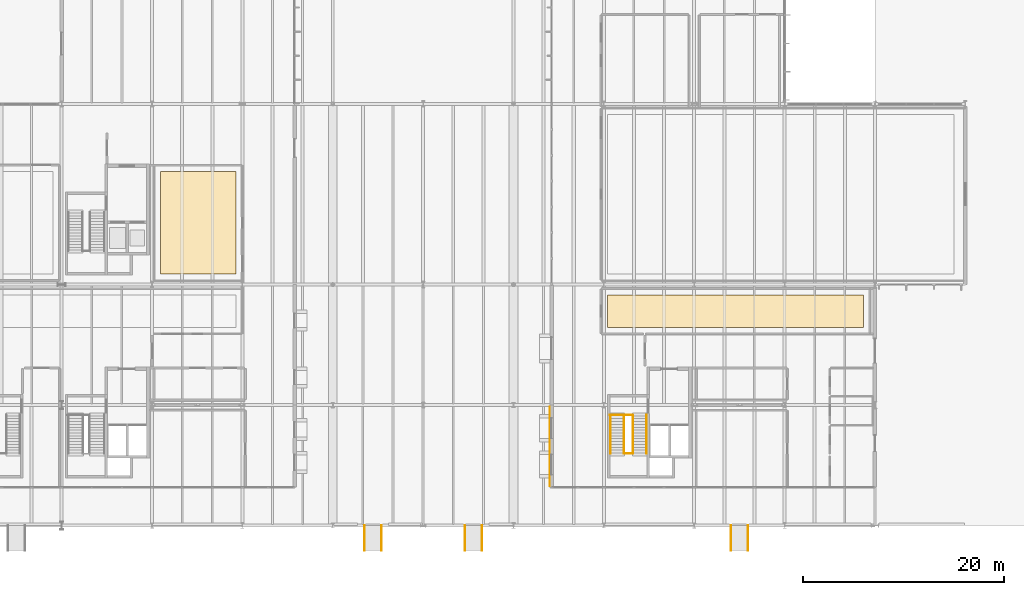
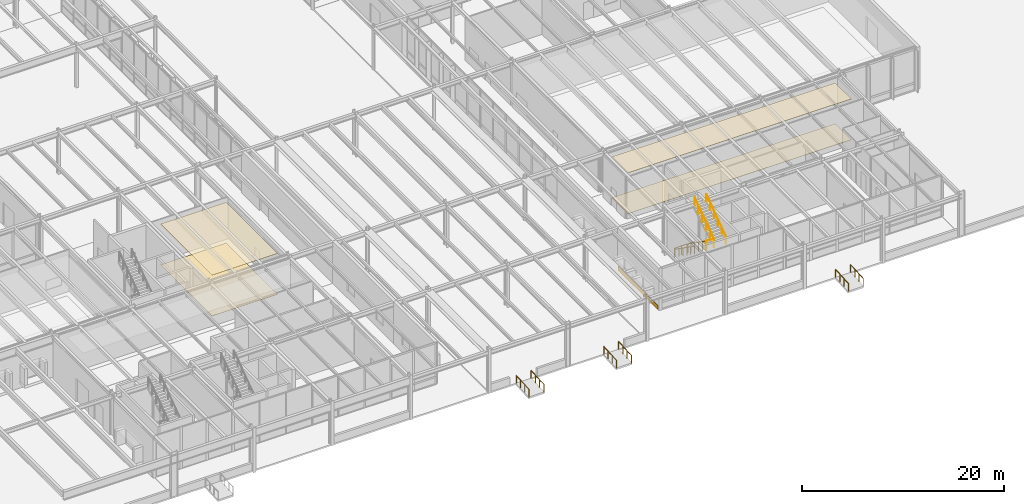
# One storey, part 135 of 143: 12 railings, 5 coverings.
"""IFC4 building model written with IfcOpenShell, lengths in metres."""

from ifc_helpers import new_model, si_unit, direction, frame, origin, origin_2d, place, context, subcontext, project, spatial, polyline, rectangle, circle, outline, extrude, material, layer, layer_set, type_object, element, save


model = new_model("IFC4")

# Units and contexts
model_context = context("Model", 3, precision=1e-05, world=origin(), true_north=direction((0.0, 1.0)))
body_context = subcontext(model_context, "Body", "Model", "MODEL_VIEW")
ifc_project = project(units=[si_unit("LENGTHUNIT", "METRE"), si_unit("AREAUNIT", "SQUARE_METRE"), si_unit("VOLUMEUNIT", "CUBIC_METRE"), si_unit("PLANEANGLEUNIT", "RADIAN"), si_unit("MASSUNIT", "GRAM", prefix="KILO")], contexts=[model_context])

# Site, building, storey
site_placement = place(None, origin())
site = spatial("IfcSite", under=ifc_project, at=site_placement, CompositionType="ELEMENT")
building_placement = place(site_placement, origin())
building = spatial("IfcBuilding", under=site, at=building_placement, Name="Montelvaro Courts of Justice", CompositionType="ELEMENT")
storey_placement = place(building_placement, origin())
storey = spatial("IfcBuildingStorey", under=building, at=storey_placement, Name="L00", CompositionType="ELEMENT", Elevation=0.0)

# Coverings
ifc_material_1 = material(Name="Perforated acoustic gypsum ceiling")
ifc_layer_1 = layer(ifc_material_1, 0.0400390625)
ifc_layer_set_1 = layer_set([ifc_layer_1], Name="Perforated acoustic gypsum ceiling")
covering_type_1 = type_object("IfcCoveringType", Name="AcousticCeiling_Court", PredefinedType="CEILING", material=ifc_layer_set_1)
covering_1_placement = place(storey_placement, frame((0.0, 0.0, 4.919921875)))
element("IfcCovering", 1, at=covering_1_placement, inside=storey, type_object=covering_type_1, Name="Acoustic Ceiling Panel AC-01 (L00-30)", PredefinedType="CEILING", context=body_context, shape_type="SweptSolid", body=[
    extrude(outline(polyline([(71.35009765625, 35.25), (71.35009765625, 25.050048828125), (63.85009765625, 25.050048828125), (63.85009765625, 35.25), (71.35009765625, 35.25)])), origin(), (0.0, 0.0, 1.0), 0.0400390625),
])
covering_2_placement = place(storey_placement, frame((0.0, 0.0, 4.919921875)))
element("IfcCovering", 2, at=covering_2_placement, inside=storey, type_object=covering_type_1, Name="Acoustic Ceiling Panel AC-01 (L00-40)", PredefinedType="CEILING", context=body_context, shape_type="SweptSolid", body=[
    extrude(outline(polyline([(108.35009765625, 19.75), (108.35009765625, 22.949951171875), (133.85009765625, 22.949951171875), (133.85009765625, 19.75), (112.090087890625, 19.75), (112.050048828125, 19.748046875), (112.010009765625, 19.75), (108.35009765625, 19.75)])), origin(), (0.0, 0.0, 1.0), 0.0400390625),
])
ifc_material_2 = material(Name="White mineral precast concrete C45/55", Category="concrete")
ifc_layer_2 = layer(ifc_material_2, 0.0400390625)
ifc_layer_set_2 = layer_set([ifc_layer_2], Name="White mineral precast concrete C45/55")
covering_type_2 = type_object("IfcCoveringType", Name="BarCladding_GFRC", PredefinedType="CLADDING", material=ifc_layer_set_2)
covering_3_placement = place(storey_placement, frame((102.613037109375, 7.885009765625, 0.030029296875), z_axis=(0.0, 0.0, 1.0), x_axis=(0.0, -1.0, 0.0)))
element("IfcCovering", 3, at=covering_3_placement, inside=storey, type_object=covering_type_2, Name="Horizontal White Bar Spandrel Cladding CL-01-003", PredefinedType="CLADDING", context=body_context, shape_type="SweptSolid", body=[
    extrude(rectangle(XDim=7.949951171875, YDim=0.0400390625, at=origin_2d()), origin(), (0.0, 0.0, 1.0), 0.5),
])

# Railings
ifc_material_3 = material(Name="Steel S355", Category="steel")
railing_type_1 = type_object("IfcRailingType", Name="InteriorGuard_1100", PredefinedType="BALUSTRADE", material=ifc_material_3)
railing_1_placement = place(storey_placement, frame((108.60009765625, 11.0, 0.0)))
element("IfcRailing", 4, at=railing_1_placement, inside=storey, type_object=railing_type_1, Name="Stair Well Guard GR-02 ST-K2-B01-TLG", PredefinedType="BALUSTRADE", context=body_context, shape_type="SweptSolid", body=[
    extrude(circle(Radius=0.02392578125, at=origin_2d()), frame((0.0, 0.0, 1.076171875), z_axis=(1.0, 0.0, 0.0), x_axis=(0.0, 1.0, 0.0)), (0.0, 0.0, 1.0), 2.289794921875),
    extrude(circle(Radius=0.02099609375, at=origin_2d()), origin(), (0.0, 0.0, 1.0), 1.052001953125),
    extrude(circle(Radius=0.02099609375, at=origin_2d()), frame((0.76318359375, 0.0, 0.0)), (0.0, 0.0, 1.0), 1.052001953125),
    extrude(circle(Radius=0.02099609375, at=origin_2d()), frame((1.526611328125, 0.0, 0.0)), (0.0, 0.0, 1.0), 1.052001953125),
    extrude(circle(Radius=0.02099609375, at=origin_2d()), frame((2.289794921875, 0.0, 0.0)), (0.0, 0.0, 1.0), 1.052001953125),
])
railing_2_placement = place(storey_placement, frame((110.010009765625, 11.0, 0.0)))
element("IfcRailing", 5, at=railing_2_placement, inside=storey, type_object=railing_type_1, Name="Stair Well Guard GR-02 ST-K2-L00-F1G", PredefinedType="BALUSTRADE", context=body_context, shape_type="SweptSolid", body=[
    extrude(circle(Radius=0.02392578125, at=origin_2d()), frame((0.0, 0.0, 1.076171875), z_axis=(0.0, -0.81767845864, 0.575675202069), x_axis=(1.0, 0.0, 0.0)), (0.0, 0.0, 1.0), 4.68994140625),
    extrude(circle(Radius=0.02099609375, at=origin_2d()), origin(), (0.0, 0.0, 1.0), 1.052001953125),
    extrude(circle(Radius=0.02099609375, at=origin_2d()), frame((0.0, -0.76708984375, 0.5400390625)), (0.0, 0.0, 1.0), 1.052001953125),
    extrude(circle(Radius=0.02099609375, at=origin_2d()), frame((0.0, -1.533935546875, 1.080078125)), (0.0, 0.0, 1.0), 1.052001953125),
    extrude(circle(Radius=0.02099609375, at=origin_2d()), frame((0.0, -2.301025390625, 1.619873046875)), (0.0, 0.0, 1.0), 1.052001953125),
    extrude(circle(Radius=0.02099609375, at=origin_2d()), frame((0.0, -3.06787109375, 2.159912109375)), (0.0, 0.0, 1.0), 1.052001953125),
    extrude(circle(Radius=0.02099609375, at=origin_2d()), frame((0.0, -3.8349609375, 2.699951171875)), (0.0, 0.0, 1.0), 1.052001953125),
])
railing_3_placement = place(storey_placement, frame((110.889892578125, 7.1650390625, 2.699951171875)))
element("IfcRailing", 6, at=railing_3_placement, inside=storey, type_object=railing_type_1, Name="Stair Well Guard GR-02 ST-K2-L00-F2G", PredefinedType="BALUSTRADE", context=body_context, shape_type="SweptSolid", body=[
    extrude(circle(Radius=0.02392578125, at=origin_2d()), frame((0.0, 0.0, 1.076171875), z_axis=(0.0, 0.81767845864, 0.575675202069), x_axis=(-1.0, 0.0, 0.0)), (0.0, 0.0, 1.0), 4.68994140625),
    extrude(circle(Radius=0.02099609375, at=origin_2d()), origin(), (0.0, 0.0, 1.0), 1.052001953125),
    extrude(circle(Radius=0.02099609375, at=origin_2d()), frame((0.0, 0.76708984375, 0.5400390625)), (0.0, 0.0, 1.0), 1.052001953125),
    extrude(circle(Radius=0.02099609375, at=origin_2d()), frame((0.0, 1.533935546875, 1.080078125)), (0.0, 0.0, 1.0), 1.052001953125),
    extrude(circle(Radius=0.02099609375, at=origin_2d()), frame((0.0, 2.301025390625, 1.619873046875)), (0.0, 0.0, 1.0), 1.052001953125),
    extrude(circle(Radius=0.02099609375, at=origin_2d()), frame((0.0, 3.06787109375, 2.159912109375)), (0.0, 0.0, 1.0), 1.052001953125),
    extrude(circle(Radius=0.02099609375, at=origin_2d()), frame((0.0, 3.8349609375, 2.699951171875)), (0.0, 0.0, 1.0), 1.052001953125),
])
railing_4_placement = place(storey_placement, frame((110.010009765625, 7.1650390625, 2.699951171875)))
element("IfcRailing", 7, at=railing_4_placement, inside=storey, type_object=railing_type_1, Name="Stair Well Guard GR-02 ST-K2-L00-MLG", PredefinedType="BALUSTRADE", context=body_context, shape_type="SweptSolid", body=[
    extrude(circle(Radius=0.02392578125, at=origin_2d()), frame((0.0, 0.0, 1.076171875), z_axis=(1.0, 0.0, 0.0), x_axis=(0.0, 1.0, 0.0)), (0.0, 0.0, 1.0), 0.8798828125),
    extrude(circle(Radius=0.02099609375, at=origin_2d()), origin(), (0.0, 0.0, 1.0), 1.052001953125),
    extrude(circle(Radius=0.02099609375, at=origin_2d()), frame((0.8798828125, 0.0, 0.0)), (0.0, 0.0, 1.0), 1.052001953125),
])

# Coverings
ifc_material_4 = material(Name="Alicante limestone judicial flooring", Category="masonry")
ifc_layer_3 = layer(ifc_material_4, 0.030029296875)
ifc_layer_set_3 = layer_set([ifc_layer_3], Name="Alicante limestone judicial flooring")
covering_type_3 = type_object("IfcCoveringType", Name="JudicialStoneFlooring", PredefinedType="FLOORING", material=ifc_layer_set_3)
covering_4_placement = place(storey_placement, origin())
element("IfcCovering", 8, at=covering_4_placement, inside=storey, type_object=covering_type_3, Name="Judicial Stone Flooring FLR-01 (L00-30)", PredefinedType="FLOORING", context=body_context, shape_type="SweptSolid", body=[
    extrude(outline(polyline([(71.35009765625, 35.25), (71.35009765625, 25.050048828125), (63.85009765625, 25.050048828125), (63.85009765625, 35.25), (71.35009765625, 35.25)])), origin(), (0.0, 0.0, 1.0), 0.030029296875),
])
covering_5_placement = place(storey_placement, origin())
element("IfcCovering", 9, at=covering_5_placement, inside=storey, type_object=covering_type_3, Name="Judicial Stone Flooring FLR-01 (L00-40)", PredefinedType="FLOORING", context=body_context, shape_type="SweptSolid", body=[
    extrude(outline(polyline([(108.35009765625, 19.75), (108.35009765625, 22.949951171875), (133.85009765625, 22.949951171875), (133.85009765625, 19.75), (112.090087890625, 19.75), (112.050048828125, 19.748046875), (112.010009765625, 19.75), (108.35009765625, 19.75)])), origin(), (0.0, 0.0, 1.0), 0.030029296875),
])

# Railings
ifc_material_5 = material(Name="Austenitic stainless steel EN 1.4401", Category="steel")
railing_type_2 = type_object("IfcRailingType", Name="StairHandrail_950", PredefinedType="HANDRAIL", material=ifc_material_5)
railing_5_placement = place(storey_placement, frame((108.659912109375, 11.0, 0.0)))
element("IfcRailing", 10, at=railing_5_placement, inside=storey, type_object=railing_type_2, Name="Stair Pitch Handrail HR-01 ST-K2-L00-F1H", PredefinedType="HANDRAIL", context=body_context, shape_type="SweptSolid", body=[
    extrude(circle(Radius=0.02392578125, at=origin_2d()), frame((0.0, 0.0, 0.92578125), z_axis=(0.0, -0.81767845864, 0.575675202069), x_axis=(1.0, 0.0, 0.0)), (0.0, 0.0, 1.0), 4.68994140625),
    extrude(circle(Radius=0.02099609375, at=origin_2d()), origin(), (0.0, 0.0, 1.0), 0.90185546875),
    extrude(circle(Radius=0.02099609375, at=origin_2d()), frame((0.0, -0.76708984375, 0.5400390625)), (0.0, 0.0, 1.0), 0.90185546875),
    extrude(circle(Radius=0.02099609375, at=origin_2d()), frame((0.0, -1.533935546875, 1.080078125)), (0.0, 0.0, 1.0), 0.90185546875),
    extrude(circle(Radius=0.02099609375, at=origin_2d()), frame((0.0, -2.301025390625, 1.619873046875)), (0.0, 0.0, 1.0), 0.90185546875),
    extrude(circle(Radius=0.02099609375, at=origin_2d()), frame((0.0, -3.06787109375, 2.159912109375)), (0.0, 0.0, 1.0), 0.90185546875),
    extrude(circle(Radius=0.02099609375, at=origin_2d()), frame((0.0, -3.8349609375, 2.699951171875)), (0.0, 0.0, 1.0), 0.90185546875),
])
railing_6_placement = place(storey_placement, frame((112.239990234375, 7.1650390625, 2.699951171875)))
element("IfcRailing", 11, at=railing_6_placement, inside=storey, type_object=railing_type_2, Name="Stair Pitch Handrail HR-01 ST-K2-L00-F2H", PredefinedType="HANDRAIL", context=body_context, shape_type="SweptSolid", body=[
    extrude(circle(Radius=0.02392578125, at=origin_2d()), frame((0.0, 0.0, 0.92578125), z_axis=(0.0, 0.81767845864, 0.575675202069), x_axis=(-1.0, 0.0, 0.0)), (0.0, 0.0, 1.0), 4.68994140625),
    extrude(circle(Radius=0.02099609375, at=origin_2d()), origin(), (0.0, 0.0, 1.0), 0.90185546875),
    extrude(circle(Radius=0.02099609375, at=origin_2d()), frame((0.0, 0.76708984375, 0.5400390625)), (0.0, 0.0, 1.0), 0.90185546875),
    extrude(circle(Radius=0.02099609375, at=origin_2d()), frame((0.0, 1.533935546875, 1.080078125)), (0.0, 0.0, 1.0), 0.90185546875),
    extrude(circle(Radius=0.02099609375, at=origin_2d()), frame((0.0, 2.301025390625, 1.619873046875)), (0.0, 0.0, 1.0), 0.90185546875),
    extrude(circle(Radius=0.02099609375, at=origin_2d()), frame((0.0, 3.06787109375, 2.159912109375)), (0.0, 0.0, 1.0), 0.90185546875),
    extrude(circle(Radius=0.02099609375, at=origin_2d()), frame((0.0, 3.8349609375, 2.699951171875)), (0.0, 0.0, 1.0), 0.90185546875),
])
for number, where, name in (
    (12, (85.85009765625, -2.5, -0.14990234375), "Accessible Ramp Handrail AR-02-L"),
    (13, (84.14990234375, -2.5, -0.14990234375), "Accessible Ramp Handrail AR-02-R"),
    (14, (95.85009765625, -2.5, -0.14990234375), "Accessible Ramp Handrail AR-03-L"),
    (15, (94.14990234375, -2.5, -0.14990234375), "Accessible Ramp Handrail AR-03-R"),
    (16, (122.35009765625, -2.5, -0.14990234375), "Accessible Ramp Handrail AR-04-L"),
    (17, (120.64990234375, -2.5, -0.14990234375), "Accessible Ramp Handrail AR-04-R"),
):
    element("IfcRailing", number, at=place(storey_placement, frame(where)), inside=storey, type_object=railing_type_2, Name=name, PredefinedType="HANDRAIL", context=body_context, shape_type="SweptSolid", body=[
        extrude(circle(Radius=0.02392578125, at=origin_2d()), frame((0.0, 0.0, 0.92578125), z_axis=(0.0, 0.998207175866, 0.059853438084), x_axis=(-1.0, 0.0, 0.0)), (0.0, 0.0, 1.0), 2.50439453125),
        extrude(circle(Radius=0.02099609375, at=origin_2d()), origin(), (0.0, 0.0, 1.0), 0.90185546875),
        extrude(circle(Radius=0.02099609375, at=origin_2d()), frame((0.0, 0.833251953125, 0.050048828125)), (0.0, 0.0, 1.0), 0.90185546875),
        extrude(circle(Radius=0.02099609375, at=origin_2d()), frame((0.0, 1.666748046875, 0.099853515625)), (0.0, 0.0, 1.0), 0.90185546875),
        extrude(circle(Radius=0.02099609375, at=origin_2d()), frame((0.0, 2.5, 0.14990234375)), (0.0, 0.0, 1.0), 0.90185546875),
    ])

save(model, "model.ifc")
